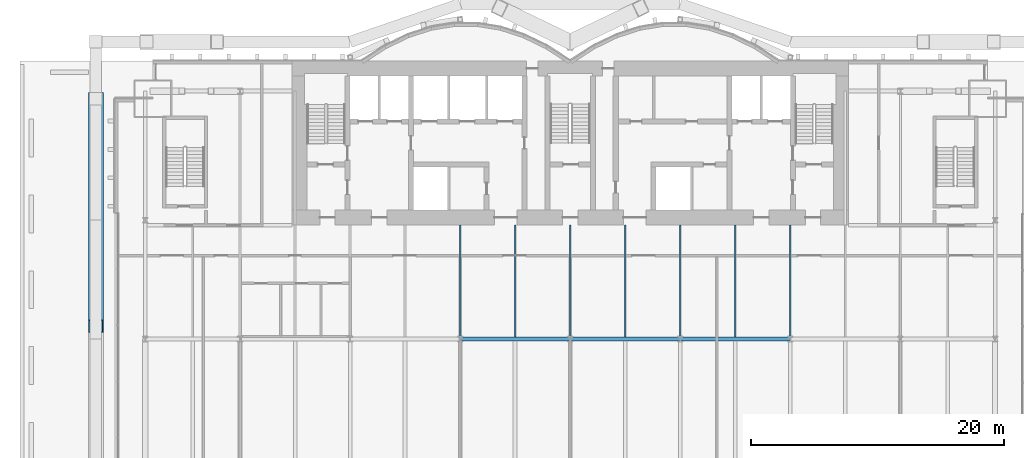
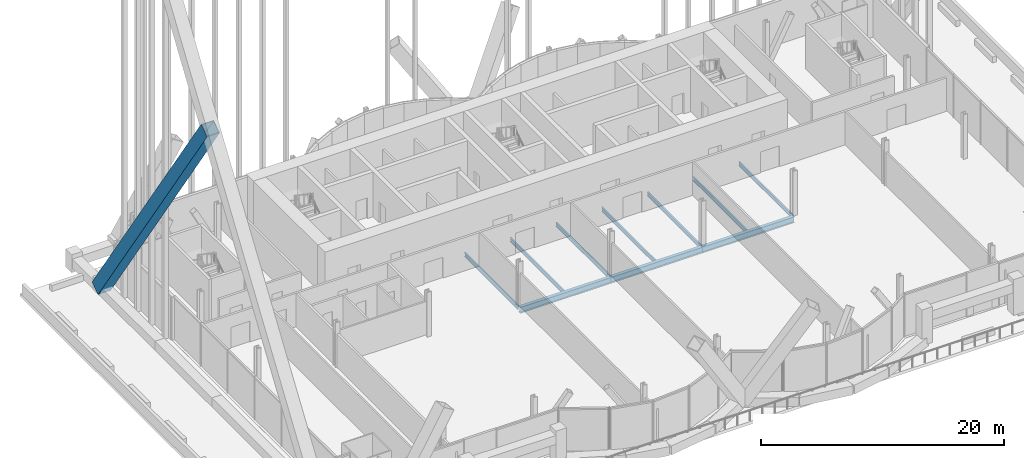
# One storey, part 10 of 29: 10 beams, 1 member.
"""IFC4 building model written with IfcOpenShell, lengths in metres."""

from ifc_helpers import new_model, si_unit, direction, frame, origin, origin_2d, place, context, subcontext, project, spatial, hollow_rectangle, i_section, extrude, material, material_profile, profile_set, type_object, element, save


model = new_model("IFC4")

# Units and contexts
model_context = context("Model", 3, precision=1e-05, world=origin(), true_north=direction((0.0, 1.0)))
body_context = subcontext(model_context, "Body", "Model", "MODEL_VIEW")
ifc_project = project(units=[si_unit("LENGTHUNIT", "METRE"), si_unit("AREAUNIT", "SQUARE_METRE"), si_unit("VOLUMEUNIT", "CUBIC_METRE"), si_unit("PLANEANGLEUNIT", "RADIAN"), si_unit("MASSUNIT", "GRAM", prefix="KILO")], contexts=[model_context])

# Site, building, storey
site_placement = place(None, origin())
site = spatial("IfcSite", under=ifc_project, at=site_placement, CompositionType="ELEMENT")
building_placement = place(site_placement, origin())
building = spatial("IfcBuilding", under=site, at=building_placement, Name="Bicima Exchange Tower", CompositionType="ELEMENT")
storey_placement = place(building_placement, frame((0.0, 0.0, 35.0)))
storey = spatial("IfcBuildingStorey", under=building, at=storey_placement, Name="L06", CompositionType="ELEMENT", Elevation=35.0)

# Member
ifc_material_1 = material(Name="Steel ASTM A572 Gr 50", Category="steel")
ifc_material_profile_1 = material_profile(ifc_material_1, hollow_rectangle(XDim=1.199951171875, YDim=1.199951171875, WallThickness=0.070068359375, at=origin_2d()))
ifc_profile_set_1 = profile_set([ifc_material_profile_1], Name="Steel ASTM A572 Gr 50")
member_type = type_object("IfcMemberType", Name="Exo mega brace BOX 1200x1200x70", PredefinedType="BRACE", material=ifc_profile_set_1)
member_placement = place(storey_placement, frame((-37.5, -3.0, 0.449951171875), z_axis=(0.0, -0.557652011783, 0.830074836237), x_axis=(1.0, 0.0, 0.0)))
element("IfcMember", 1, at=member_placement, inside=storey, type_object=member_type, Name="Exo mega brace end", PredefinedType="BRACE", context=body_context, shape_type="SweptSolid", body=[
    extrude(hollow_rectangle(XDim=1.199951171875, YDim=1.199951171875, WallThickness=0.070068359375, at=origin_2d()), origin(), (0.0, 0.0, 1.0), 32.25634765625),
])

# Beams
ifc_material_2 = material(Name="Steel ASTM A992 Gr 50", Category="steel")
ifc_material_profile_2 = material_profile(ifc_material_2, i_section(OverallWidth=0.140380859375, OverallDepth=0.40380859375, WebThickness=0.007080078125, FlangeThickness=0.01123046875, at=origin_2d()))
ifc_profile_set_2 = profile_set([ifc_material_profile_2], Name="Steel ASTM A992 Gr 50")
beam_type_1 = type_object("IfcBeamType", Name="Floor beam W16x31", PredefinedType="JOIST", material=ifc_profile_set_2)
for number, where, z_axis, x_axis, name in (
    (2, (-8.699951171875, -13.0, -0.351806640625), (0.0, -1.0, 0.0), (1.0, 0.0, 0.0), "Floor beam"),
    (3, (-4.35009765625, -13.0, -0.351806640625), (0.0, -1.0, 0.0), (1.0, 0.0, 0.0), "Floor beam"),
    (4, (0.0, -13.0, -0.351806640625), (0.0, -1.0, 0.0), (1.0, 0.0, 0.0), "Floor beam"),
    (5, (4.35009765625, -13.0, -0.351806640625), (0.0, -1.0, 0.0), (1.0, 0.0, 0.0), "Floor beam"),
    (6, (8.699951171875, -13.0, -0.351806640625), (0.0, -1.0, 0.0), (1.0, 0.0, 0.0), "Floor beam"),
    (7, (13.050048828125, -13.0, -0.351806640625), (0.0, -1.0, 0.0), (1.0, 0.0, 0.0), "Floor beam"),
    (8, (17.39990234375, -13.0, -0.351806640625), (0.0, -1.0, 0.0), (1.0, 0.0, 0.0), "Floor beam"),
):
    element("IfcBeam", number, at=place(storey_placement, frame(where, z_axis=z_axis, x_axis=x_axis)), inside=storey, type_object=beam_type_1, Name=name, PredefinedType="JOIST", context=body_context, shape_type="SweptSolid", body=[
        extrude(i_section(OverallWidth=0.140380859375, OverallDepth=0.40380859375, WebThickness=0.007080078125, FlangeThickness=0.01123046875, at=origin_2d()), origin(), (0.0, 0.0, 1.0), 8.83740234375),
    ])
ifc_material_profile_3 = material_profile(ifc_material_2, i_section(OverallWidth=0.3251953125, OverallDepth=0.612060546875, WebThickness=0.0126953125, FlangeThickness=0.01904296875, at=origin_2d()))
ifc_profile_set_3 = profile_set([ifc_material_profile_3], Name="Steel ASTM A992 Gr 50")
beam_type_2 = type_object("IfcBeamType", Name="Row girder W24x104", PredefinedType="BEAM", material=ifc_profile_set_3)
for number, where, z_axis, x_axis, name in (
    (9, (-8.699951171875, -22.0, -0.4560546875), (1.0, 0.0, 0.0), (0.0, 1.0, 0.0), "Row girder"),
    (10, (0.0, -22.0, -0.4560546875), (1.0, 0.0, 0.0), (0.0, 1.0, 0.0), "Row girder"),
    (11, (8.699951171875, -22.0, -0.4560546875), (1.0, 0.0, 0.0), (0.0, 1.0, 0.0), "Row girder"),
):
    element("IfcBeam", number, at=place(storey_placement, frame(where, z_axis=z_axis, x_axis=x_axis)), inside=storey, type_object=beam_type_2, Name=name, PredefinedType="BEAM", context=body_context, shape_type="SweptSolid", body=[
        extrude(i_section(OverallWidth=0.3251953125, OverallDepth=0.612060546875, WebThickness=0.0126953125, FlangeThickness=0.01904296875, at=origin_2d()), origin(), (0.0, 0.0, 1.0), 8.699951171875),
    ])

save(model, "model.ifc")
